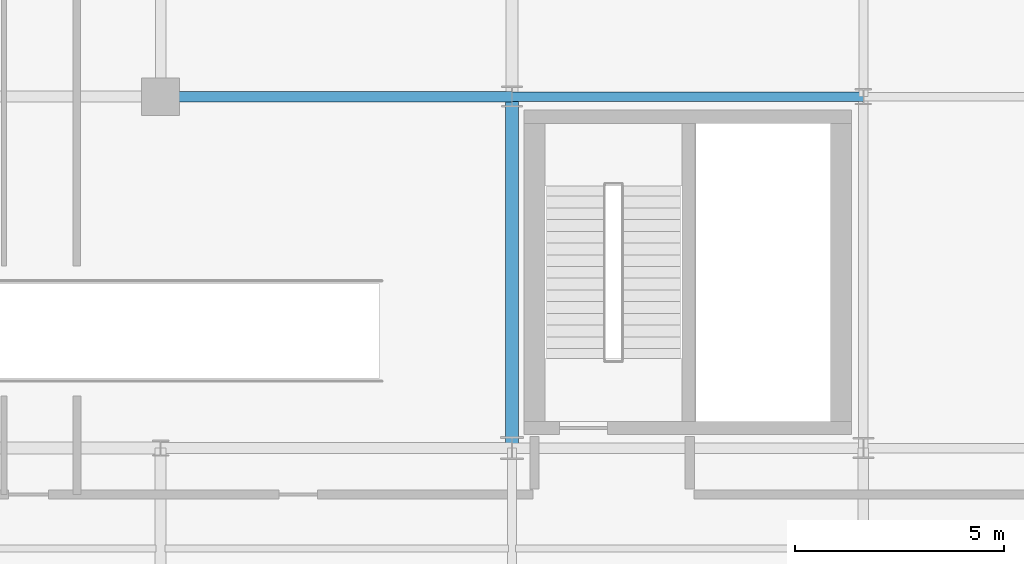
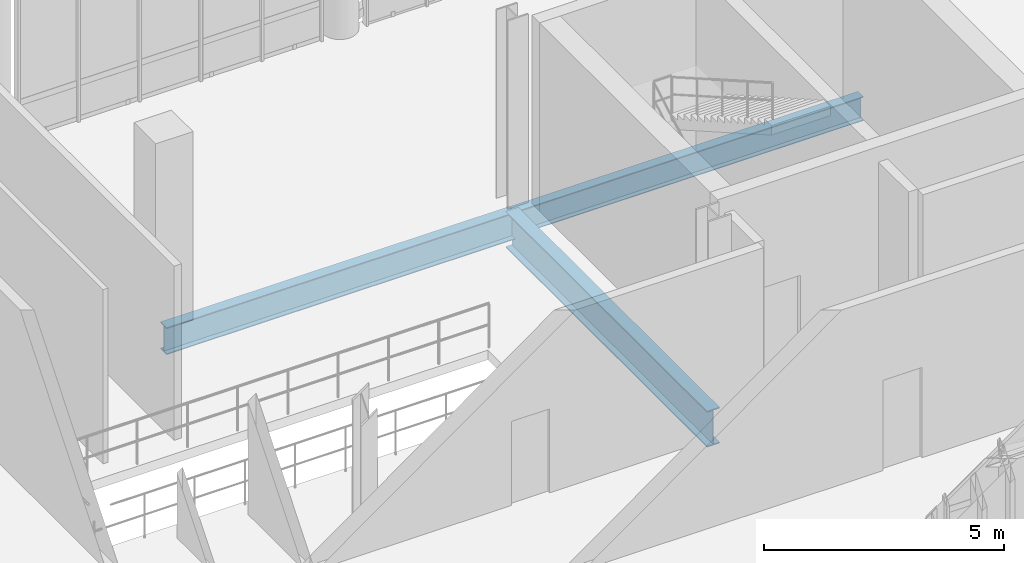
# One storey, part 52 of 109: 3 beams.
"""IFC4 building model written with IfcOpenShell, lengths in metres."""

from ifc_helpers import new_model, si_unit, direction, frame, origin_with_axes, origin_2d_with_axis, place, context, subcontext, project, spatial, i_section, extrude, material, material_profile, profile_set, type_object, element, save


model = new_model("IFC4")

# Units and contexts
model_context = context("Model", 3, precision=1e-05, world=origin_with_axes(), true_north=direction((0.0, 1.0)))
body_context = subcontext(model_context, "Body", "Model", "MODEL_VIEW")
ifc_project = project(units=[si_unit("LENGTHUNIT", "METRE"), si_unit("AREAUNIT", "SQUARE_METRE"), si_unit("VOLUMEUNIT", "CUBIC_METRE"), si_unit("PLANEANGLEUNIT", "RADIAN"), si_unit("MASSUNIT", "GRAM", prefix="KILO"), si_unit("THERMODYNAMICTEMPERATUREUNIT", "KELVIN")], contexts=[model_context])

# Site, building, storey
site_placement = place(None, origin_with_axes())
site = spatial("IfcSite", under=ifc_project, at=site_placement, CompositionType="ELEMENT")
building_placement = place(site_placement, origin_with_axes())
building = spatial("IfcBuilding", under=site, at=building_placement, Name="Montbau Bow Law Courts", CompositionType="ELEMENT")
storey_placement = place(building_placement, frame((0.0, 0.0, 10.8), z_axis=(0.0, 0.0, 1.0), x_axis=(1.0, 0.0, 0.0)))
storey = spatial("IfcBuildingStorey", under=building, at=storey_placement, Name="L02", CompositionType="ELEMENT", Elevation=10.8)

# Beams
ifc_material = material(Name="Steel CSA G40.21 Grade 350W (350 MPa)", Category="steel")
ifc_material_profile_1 = material_profile(ifc_material, i_section(OverallWidth=0.306, OverallDepth=0.919, WebThickness=0.0173, FlangeThickness=0.0279, at=origin_2d_with_axis()), Name="W920X253", Category="Main", Priority=0)
ifc_profile_set_1 = profile_set([ifc_material_profile_1], Name="Steel CSA G40.21 Grade 350W (350 MPa)")
beam_type_1 = type_object("IfcBeamType", Name="B-FLR-01", PredefinedType="BEAM", material=ifc_profile_set_1)
beam_1_placement = place(None, frame((80.4, 46.2, 10.101), z_axis=(0.0, 1.0, 0.0), x_axis=(-1.0, 0.0, 0.0)))
element("IfcBeam", 1, at=beam_1_placement, inside=storey, type_object=beam_type_1, Name="BM-L02-S0867:bm2_0870", PredefinedType="BEAM", context=body_context, shape_type="SweptSolid", body=[
    extrude(i_section(OverallWidth=0.306, OverallDepth=0.919, WebThickness=0.0173, FlangeThickness=0.0279, at=origin_2d_with_axis()), origin_with_axes(), (0.0, 0.0, 1.0), 8.4),
])
ifc_material_profile_2 = material_profile(ifc_material, i_section(OverallWidth=0.254, OverallDepth=0.688, WebThickness=0.0131, FlangeThickness=0.0211, at=origin_2d_with_axis()), Name="W690X152", Category="Main", Priority=0)
ifc_profile_set_2 = profile_set([ifc_material_profile_2], Name="Steel CSA G40.21 Grade 350W (350 MPa)")
beam_type_2 = type_object("IfcBeamType", Name="B-FLR-04", PredefinedType="BEAM", material=ifc_profile_set_2)
beam_2_placement = place(None, frame((72.0, 54.6, 10.216), z_axis=(1.0, 0.0, 0.0), x_axis=(0.0, 1.0, 0.0)))
element("IfcBeam", 2, at=beam_2_placement, inside=storey, type_object=beam_type_2, Name="BM-L02-S0848:bm2_0851", PredefinedType="BEAM", context=body_context, shape_type="SweptSolid", body=[
    extrude(i_section(OverallWidth=0.254, OverallDepth=0.688, WebThickness=0.0131, FlangeThickness=0.0211, at=origin_2d_with_axis()), origin_with_axes(), (0.0, 0.0, 1.0), 8.4),
])
ifc_material_profile_3 = material_profile(ifc_material, i_section(OverallWidth=0.229, OverallDepth=0.612, WebThickness=0.0119, FlangeThickness=0.0196, at=origin_2d_with_axis()), Name="W610X125", Category="Main", Priority=0)
ifc_profile_set_3 = profile_set([ifc_material_profile_3], Name="Steel CSA G40.21 Grade 350W (350 MPa)")
beam_type_3 = type_object("IfcBeamType", Name="B-FLR-05", PredefinedType="BEAM", material=ifc_profile_set_3)
beam_3_placement = place(None, frame((80.4, 54.6, 10.254), z_axis=(1.0, 0.0, 0.0), x_axis=(0.0, 1.0, 0.0)))
element("IfcBeam", 3, at=beam_3_placement, inside=storey, type_object=beam_type_3, Name="BM-L02-S0849:bm2_0852", PredefinedType="BEAM", context=body_context, shape_type="SweptSolid", body=[
    extrude(i_section(OverallWidth=0.229, OverallDepth=0.612, WebThickness=0.0119, FlangeThickness=0.0196, at=origin_2d_with_axis()), origin_with_axes(), (0.0, 0.0, 1.0), 8.4),
])

save(model, "model.ifc")
